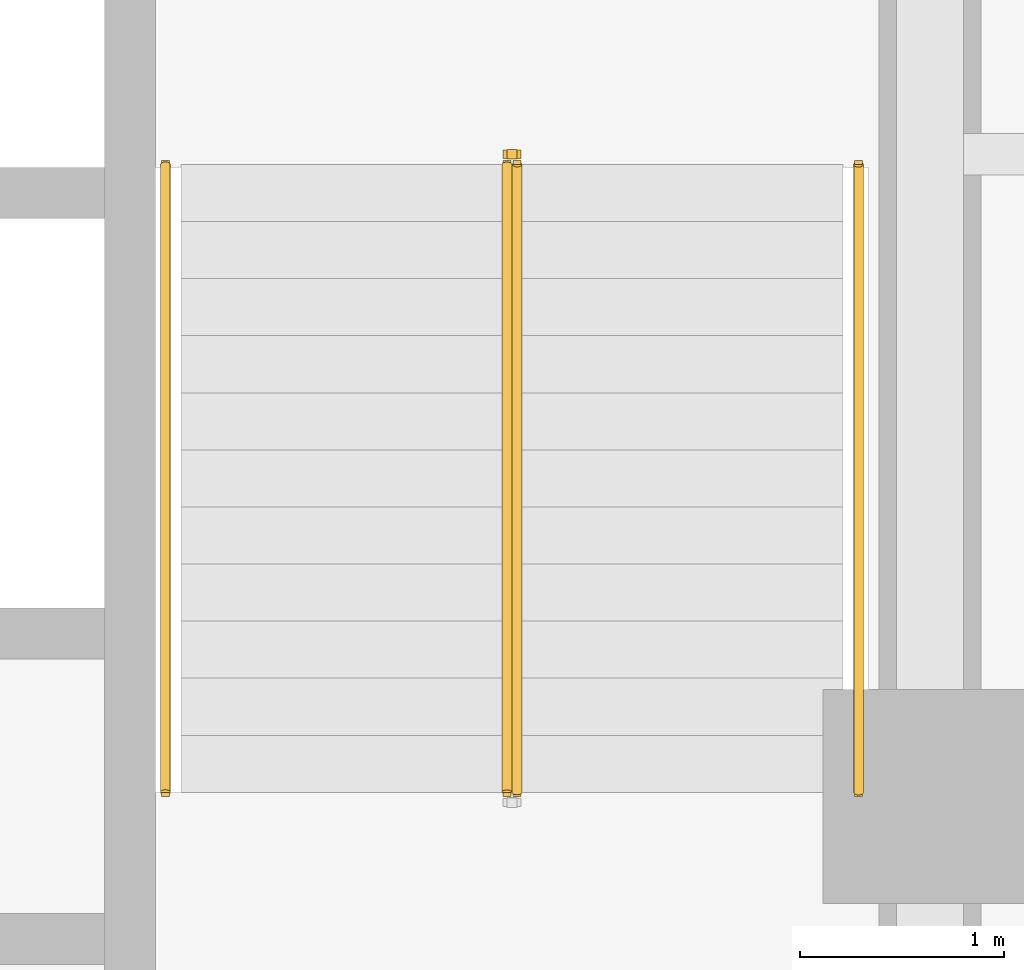
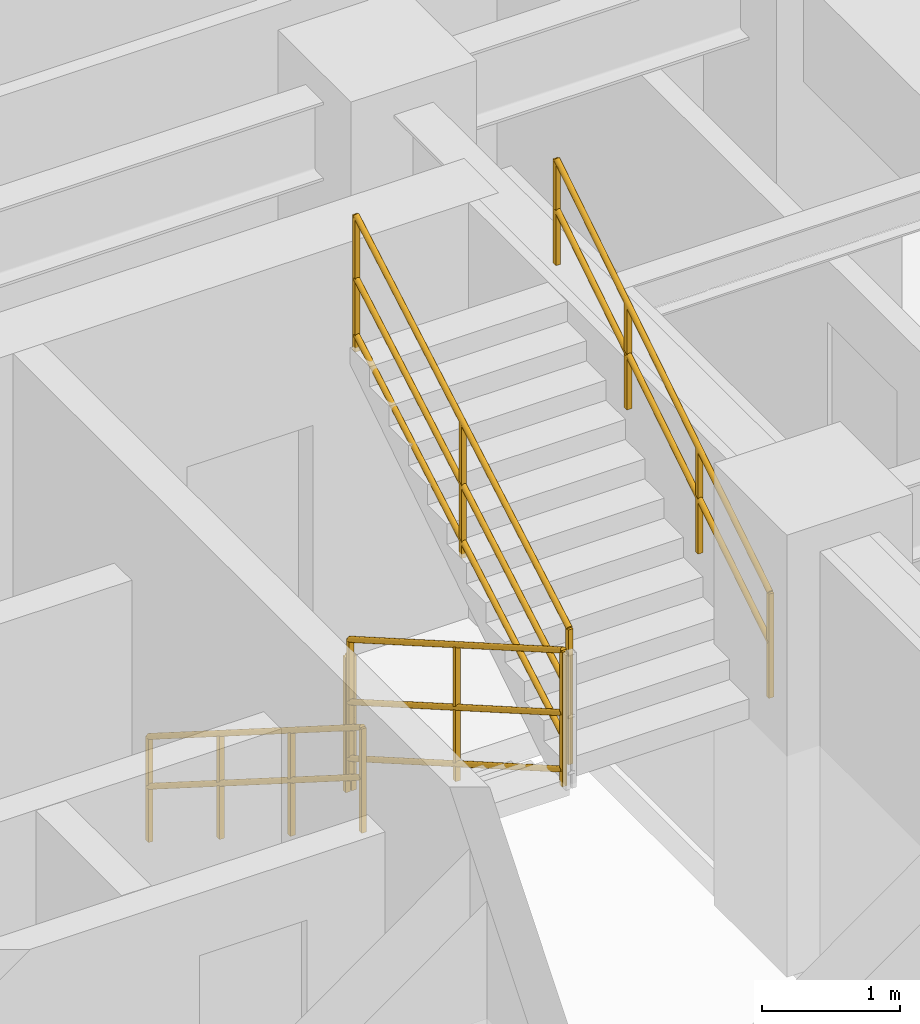
# One storey, part 9 of 10: 5 railings.
"""IFC4 building model written with IfcOpenShell, lengths in metres."""

from ifc_helpers import new_model, entity, si_unit, converted_unit, direction, frame, origin_with_axes, origin_2d_with_axis, place, context, subcontext, project, spatial, rectangle, circle, extrude, material, type_object, element, save


model = new_model("IFC4")

# Units and contexts
model_context = context("Model", 3, precision=1e-05, world=origin_with_axes(), true_north=direction((0.0, 1.0)))
body_context = subcontext(model_context, "Body", "Model", "MODEL_VIEW")
ifc_project = project(units=[si_unit("LENGTHUNIT", "METRE"), si_unit("AREAUNIT", "SQUARE_METRE"), si_unit("VOLUMEUNIT", "CUBIC_METRE"), converted_unit("PLANEANGLEUNIT", "DEGREE", entity("IfcPlaneAngleMeasure", 0.017453292519943295), si_unit("PLANEANGLEUNIT", "RADIAN"), dimensions=[0, 0, 0, 0, 0, 0, 0]), si_unit("MASSUNIT", "GRAM", prefix="KILO"), si_unit("THERMODYNAMICTEMPERATUREUNIT", "KELVIN")], contexts=[model_context])

# Site, building, storey
site_placement = place(None, origin_with_axes())
site = spatial("IfcSite", under=ifc_project, at=site_placement, CompositionType="ELEMENT")
building_placement = place(site_placement, origin_with_axes())
building = spatial("IfcBuilding", under=site, at=building_placement, Name="Varnlund Millrace Tower", CompositionType="ELEMENT")
storey_placement = place(building_placement, frame((0.0, 0.0, 168.0), z_axis=(0.0, 0.0, 1.0), x_axis=(1.0, 0.0, 0.0)))
storey = spatial("IfcBuildingStorey", under=building, at=storey_placement, Name="L41", CompositionType="ELEMENT", Elevation=168.0)

# Railings
ifc_material_1 = material(Name="Painted steel stair well balustrade guard", Category="steel")
railing_type_1 = type_object("IfcRailingType", Name="Type-StairGuard-1150", PredefinedType="GUARDRAIL", material=ifc_material_1)
railing_1_placement = place(storey_placement, frame((0.0, 0.0, -168.0), z_axis=(0.0, 0.0, 1.0), x_axis=(1.0, 0.0, 0.0)))
element("IfcRailing", 1, at=railing_1_placement, inside=storey, type_object=railing_type_1, Name="Type-StairGuard-1150", PredefinedType="GUARDRAIL", context=body_context, shape_type="SweptSolid", body=[
    extrude(circle(Radius=0.024, at=origin_2d_with_axis()), frame((45.975, 21.1, 169.327273), z_axis=(0.0, -0.866696, 0.498836), x_axis=(1.0, 0.0, 0.0)), (0.0, 0.0, 1.0), 3.553725),
    extrude(circle(Radius=0.024, at=origin_2d_with_axis()), frame((45.975, 21.1, 168.277273), z_axis=(0.0, -0.866696, 0.498836), x_axis=(1.0, 0.0, 0.0)), (0.0, 0.0, 1.0), 3.553725),
    extrude(circle(Radius=0.024, at=origin_2d_with_axis()), frame((45.975, 21.1, 168.775273), z_axis=(0.0, -0.866696, 0.498836), x_axis=(1.0, 0.0, 0.0)), (0.0, 0.0, 1.0), 3.553725),
    extrude(rectangle(XDim=0.04, YDim=0.04, at=origin_2d_with_axis()), frame((45.975, 21.1, 168.137273), z_axis=(0.0, 0.0, 1.0), x_axis=(1.0, 0.0, 0.0)), (0.0, 0.0, 1.0), 1.19),
    extrude(rectangle(XDim=0.04, YDim=0.04, at=origin_2d_with_axis()), frame((45.975, 19.56, 169.023637), z_axis=(0.0, 0.0, 1.0), x_axis=(1.0, 0.0, 0.0)), (0.0, 0.0, 1.0), 1.19),
    extrude(rectangle(XDim=0.04, YDim=0.04, at=origin_2d_with_axis()), frame((45.975, 18.02, 169.91), z_axis=(0.0, 0.0, 1.0), x_axis=(1.0, 0.0, 0.0)), (0.0, 0.0, 1.0), 1.19),
])
railing_2_placement = place(storey_placement, frame((0.0, 0.0, -168.0), z_axis=(0.0, 0.0, 1.0), x_axis=(1.0, 0.0, 0.0)))
element("IfcRailing", 2, at=railing_2_placement, inside=storey, type_object=railing_type_1, Name="Type-StairGuard-1150", PredefinedType="GUARDRAIL", context=body_context, shape_type="SweptSolid", body=[
    extrude(circle(Radius=0.024, at=origin_2d_with_axis()), frame((46.025, 18.02, 171.277273), z_axis=(0.0, 0.866696, 0.498836), x_axis=(-1.0, 0.0, 0.0)), (0.0, 0.0, 1.0), 3.553725),
    extrude(circle(Radius=0.024, at=origin_2d_with_axis()), frame((46.025, 18.02, 170.227273), z_axis=(0.0, 0.866696, 0.498836), x_axis=(-1.0, 0.0, 0.0)), (0.0, 0.0, 1.0), 3.553725),
    extrude(circle(Radius=0.024, at=origin_2d_with_axis()), frame((46.025, 18.02, 170.725273), z_axis=(0.0, 0.866696, 0.498836), x_axis=(-1.0, 0.0, 0.0)), (0.0, 0.0, 1.0), 3.553725),
    extrude(rectangle(XDim=0.04, YDim=0.04, at=origin_2d_with_axis()), frame((46.025, 18.02, 170.087273), z_axis=(0.0, 0.0, 1.0), x_axis=(1.0, 0.0, 0.0)), (0.0, 0.0, 1.0), 1.19),
    extrude(rectangle(XDim=0.04, YDim=0.04, at=origin_2d_with_axis()), frame((46.025, 19.56, 170.973637), z_axis=(0.0, 0.0, 1.0), x_axis=(1.0, 0.0, 0.0)), (0.0, 0.0, 1.0), 1.19),
    extrude(rectangle(XDim=0.04, YDim=0.04, at=origin_2d_with_axis()), frame((46.025, 21.1, 171.86), z_axis=(0.0, 0.0, 1.0), x_axis=(1.0, 0.0, 0.0)), (0.0, 0.0, 1.0), 1.19),
])
railing_3_placement = place(storey_placement, frame((0.0, 0.0, -168.0), z_axis=(0.0, 0.0, 1.0), x_axis=(1.0, 0.0, 0.0)))
element("IfcRailing", 3, at=railing_3_placement, inside=storey, type_object=railing_type_1, Name="Type-StairGuard-1150", PredefinedType="GUARDRAIL", context=body_context, shape_type="SweptSolid", body=[
    extrude(circle(Radius=0.024, at=origin_2d_with_axis()), frame((46.025, 21.15, 169.15), z_axis=(-1.0, 0.0, 0.0), x_axis=(0.0, -1.0, 0.0)), (0.0, 0.0, 1.0), 0.05),
    extrude(circle(Radius=0.024, at=origin_2d_with_axis()), frame((46.025, 21.15, 168.1), z_axis=(-1.0, 0.0, 0.0), x_axis=(0.0, -1.0, 0.0)), (0.0, 0.0, 1.0), 0.05),
    extrude(circle(Radius=0.024, at=origin_2d_with_axis()), frame((46.025, 21.15, 168.598), z_axis=(-1.0, 0.0, 0.0), x_axis=(0.0, -1.0, 0.0)), (0.0, 0.0, 1.0), 0.05),
    extrude(rectangle(XDim=0.04, YDim=0.04, at=origin_2d_with_axis()), frame((46.025, 21.15, 167.96), z_axis=(0.0, 0.0, 1.0), x_axis=(1.0, 0.0, 0.0)), (0.0, 0.0, 1.0), 1.19),
    extrude(rectangle(XDim=0.04, YDim=0.04, at=origin_2d_with_axis()), frame((45.975, 21.15, 167.96), z_axis=(0.0, 0.0, 1.0), x_axis=(1.0, 0.0, 0.0)), (0.0, 0.0, 1.0), 1.19),
])
ifc_material_2 = material(Name="Brushed architectural bronze stair handrail", Category="aluminium")
railing_type_2 = type_object("IfcRailingType", Name="Type-StairHandrail-900", PredefinedType="HANDRAIL", material=ifc_material_2)
railing_4_placement = place(storey_placement, frame((0.0, 0.0, -168.0), z_axis=(0.0, 0.0, 1.0), x_axis=(1.0, 0.0, 0.0)))
element("IfcRailing", 4, at=railing_4_placement, inside=storey, type_object=railing_type_2, Name="Type-StairHandrail-900", PredefinedType="HANDRAIL", context=body_context, shape_type="SweptSolid", body=[
    extrude(circle(Radius=0.024, at=origin_2d_with_axis()), frame((44.3, 21.1, 169.056995), z_axis=(0.0, -0.844902, 0.534922), x_axis=(1.0, 0.0, 0.0)), (0.0, 0.0, 1.0), 3.645394),
    extrude(circle(Radius=0.024, at=origin_2d_with_axis()), frame((44.3, 21.1, 168.617134), z_axis=(0.0, -0.844902, 0.534922), x_axis=(1.0, 0.0, 0.0)), (0.0, 0.0, 1.0), 3.645394),
    extrude(rectangle(XDim=0.04, YDim=0.04, at=origin_2d_with_axis()), frame((44.3, 21.1, 168.137273), z_axis=(0.0, 0.0, 1.0), x_axis=(1.0, 0.0, 0.0)), (0.0, 0.0, 1.0), 0.919722),
    extrude(rectangle(XDim=0.04, YDim=0.04, at=origin_2d_with_axis()), frame((44.3, 20.073333, 168.787273), z_axis=(0.0, 0.0, 1.0), x_axis=(1.0, 0.0, 0.0)), (0.0, 0.0, 1.0), 0.919722),
    extrude(rectangle(XDim=0.04, YDim=0.04, at=origin_2d_with_axis()), frame((44.3, 19.046667, 169.437273), z_axis=(0.0, 0.0, 1.0), x_axis=(1.0, 0.0, 0.0)), (0.0, 0.0, 1.0), 0.919722),
    extrude(rectangle(XDim=0.04, YDim=0.04, at=origin_2d_with_axis()), frame((44.3, 18.02, 170.087273), z_axis=(0.0, 0.0, 1.0), x_axis=(1.0, 0.0, 0.0)), (0.0, 0.0, 1.0), 0.919722),
])
railing_5_placement = place(storey_placement, frame((0.0, 0.0, -168.0), z_axis=(0.0, 0.0, 1.0), x_axis=(1.0, 0.0, 0.0)))
element("IfcRailing", 5, at=railing_5_placement, inside=storey, type_object=railing_type_2, Name="Type-StairHandrail-900", PredefinedType="HANDRAIL", context=body_context, shape_type="SweptSolid", body=[
    extrude(circle(Radius=0.024, at=origin_2d_with_axis()), frame((47.7, 18.02, 171.006995), z_axis=(0.0, 0.844902, 0.534922), x_axis=(-1.0, 0.0, 0.0)), (0.0, 0.0, 1.0), 3.645394),
    extrude(circle(Radius=0.024, at=origin_2d_with_axis()), frame((47.7, 18.02, 170.567134), z_axis=(0.0, 0.844902, 0.534922), x_axis=(-1.0, 0.0, 0.0)), (0.0, 0.0, 1.0), 3.645394),
    extrude(rectangle(XDim=0.04, YDim=0.04, at=origin_2d_with_axis()), frame((47.7, 18.02, 170.087273), z_axis=(0.0, 0.0, 1.0), x_axis=(1.0, 0.0, 0.0)), (0.0, 0.0, 1.0), 0.919722),
    extrude(rectangle(XDim=0.04, YDim=0.04, at=origin_2d_with_axis()), frame((47.7, 19.046667, 170.737273), z_axis=(0.0, 0.0, 1.0), x_axis=(1.0, 0.0, 0.0)), (0.0, 0.0, 1.0), 0.919722),
    extrude(rectangle(XDim=0.04, YDim=0.04, at=origin_2d_with_axis()), frame((47.7, 20.073333, 171.387273), z_axis=(0.0, 0.0, 1.0), x_axis=(1.0, 0.0, 0.0)), (0.0, 0.0, 1.0), 0.919722),
    extrude(rectangle(XDim=0.04, YDim=0.04, at=origin_2d_with_axis()), frame((47.7, 21.1, 172.037273), z_axis=(0.0, 0.0, 1.0), x_axis=(1.0, 0.0, 0.0)), (0.0, 0.0, 1.0), 0.919722),
])

save(model, "model.ifc")
